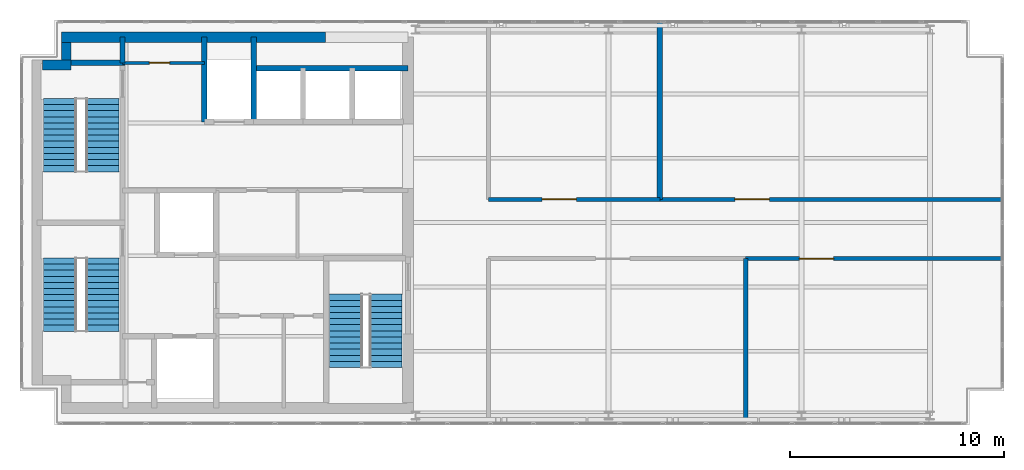
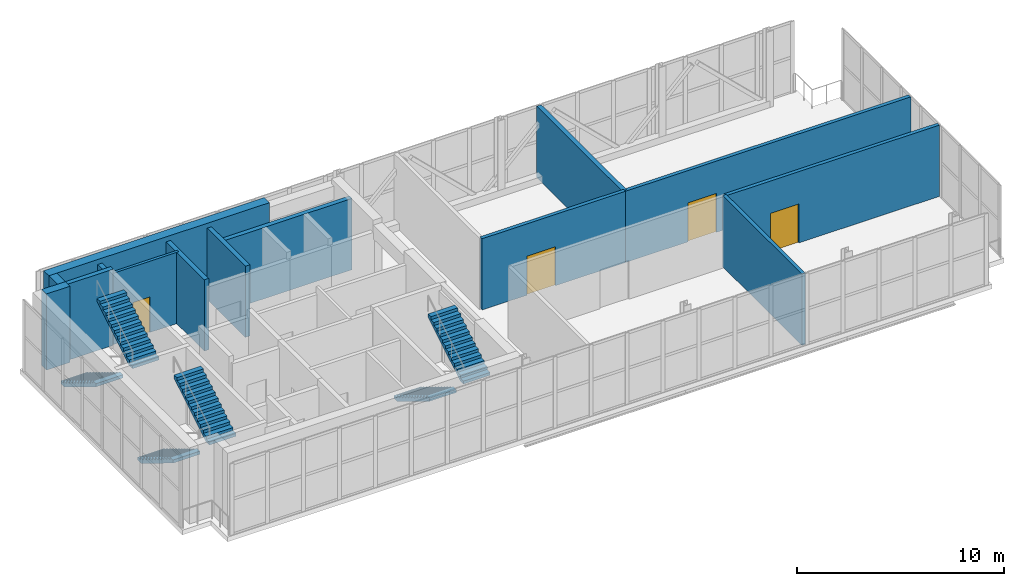
# One storey, part 19 of 21: 14 walls, 6 stair flights, 4 doors, 4 openings, 3 elements without a shape of their own.
"""IFC4 building model written with IfcOpenShell, lengths in metres."""

from ifc_helpers import new_model, si_unit, direction, frame, frame_2d, origin, place, context, subcontext, project, spatial, polyline, rectangle, outline, extrude, material, layer, layer_set, type_object, element, fill, aggregate, save


model = new_model("IFC4")

# Units and contexts
model_context = context("Model", 3, precision=1e-05, world=origin(), true_north=direction((0.0, 1.0)))
body_context = subcontext(model_context, "Body", "Model", "MODEL_VIEW")
ifc_project = project(units=[si_unit("LENGTHUNIT", "METRE"), si_unit("AREAUNIT", "SQUARE_METRE"), si_unit("VOLUMEUNIT", "CUBIC_METRE"), si_unit("PLANEANGLEUNIT", "RADIAN"), si_unit("MASSUNIT", "GRAM", prefix="KILO")], contexts=[model_context])

# Site, building, storey
site_placement = place(None, origin())
site = spatial("IfcSite", under=ifc_project, at=site_placement, CompositionType="ELEMENT")
building_placement = place(site_placement, origin())
building = spatial("IfcBuilding", under=site, at=building_placement, Name="Mawjdan Bourse Tower", CompositionType="ELEMENT")
storey_placement = place(building_placement, frame((0.0, 0.0, 313.199951171875)))
storey = spatial("IfcBuildingStorey", under=building, at=storey_placement, Name="L77", CompositionType="ELEMENT", Elevation=313.199951171875)

# Wall
ifc_material_1 = material(Name="Gypsum Fireboard Assembly")
ifc_layer_1 = layer(ifc_material_1, 0.199951171875)
ifc_layer_set_1 = layer_set([ifc_layer_1], Name="Gypsum Fireboard Assembly")
wall_type_1 = type_object("IfcWallType", Name="WL-CMP-200", PredefinedType="PARTITIONING", material=ifc_layer_set_1)
wall_1_placement = place(storey_placement, frame((39.39990234375, 2.659912109375, 0.0), z_axis=(0.0, 0.0, 1.0), x_axis=(0.0, 1.0, 0.0)))
element("IfcWall", 1, at=wall_1_placement, inside=storey, type_object=wall_type_1, Name="L77 South Plant Split Wall", PredefinedType="PARTITIONING", context=body_context, shape_type="SweptSolid", body=[
    extrude(rectangle(XDim=7.66015625, YDim=0.199951171875, at=frame_2d((3.830078125, 0.0))), origin(), (0.0, 0.0, 1.0), 4.2099609375),
])

# Wall, opening, door
wall_2_placement = place(storey_placement, frame((39.39990234375, 10.320068359375, 0.0), z_axis=(0.0, 0.0, 1.0), x_axis=(1.0, 0.0, 0.0)))
wall_2 = element("IfcWall", 2, at=wall_2_placement, inside=storey, type_object=wall_type_1, Name="L77 CHW Plant North Wall", PredefinedType="PARTITIONING", context=body_context, shape_type="SweptSolid", body=[
    extrude(rectangle(XDim=11.940185546875, YDim=0.199951171875, at=frame_2d((5.97021484375, 0.0))), origin(), (0.0, 0.0, 1.0), 4.2099609375),
])
opening_1_placement = place(wall_2_placement, frame((2.5, 0.0, 0.0)))
opening_1 = element("IfcOpeningElement", 3, at=opening_1_placement, cuts=wall_2, Name="Opening PD-L77-16", PredefinedType="OPENING", context=body_context, shape_type="SweptSolid", body=[
    extrude(rectangle(XDim=1.60009765625, YDim=2.300048828125, at=frame_2d((0.800048828125, 1.14990234375))), frame((0.0, 0.10986328125, 0.0), z_axis=(0.0, -1.0, 0.0), x_axis=(1.0, 0.0, 0.0)), (0.0, 0.0, 1.0), 0.219970703125),
])
ifc_material_2 = material(Name="Fire-Rated Acoustic Steel", Category="steel")
door_type_1 = type_object("IfcDoorType", Name="FD-PLT-1600", OperationType="DOUBLE_DOOR_SINGLE_SWING", PredefinedType="DOOR", material=ifc_material_2)
door_1_placement = place(opening_1_placement, origin())
door_1 = element("IfcDoor", 4, at=door_1_placement, inside=storey, type_object=door_type_1, Name="L77 CHW Pump Room Door PD-L77-16", OperationType="DOUBLE_DOOR_SINGLE_SWING", OverallHeight=2.300048828125, OverallWidth=1.60009765625, PredefinedType="DOOR", context=body_context, shape_type="SweptSolid", body=[
    extrude(rectangle(XDim=1.60009765625, YDim=2.300048828125, at=frame_2d((0.800048828125, 1.14990234375))), frame((0.0, 0.02490234375, 0.0), z_axis=(0.0, -1.0, 0.0), x_axis=(1.0, 0.0, 0.0)), (0.0, 0.0, 1.0), 0.050048828125),
])
fill(opening_1, door_1)

wall_3_placement = place(storey_placement, frame((27.39990234375, 13.080078125, 0.0), z_axis=(0.0, 0.0, 1.0), x_axis=(1.0, 0.0, 0.0)))
wall_3 = element("IfcWall", 5, at=wall_3_placement, inside=storey, type_object=wall_type_1, Name="L77 Crown Plant South Wall", PredefinedType="PARTITIONING", context=body_context, shape_type="SweptSolid", body=[
    extrude(rectangle(XDim=8.0, YDim=0.199951171875, at=frame_2d((4.0, 0.0))), origin(), (0.0, 0.0, 1.0), 4.2099609375),
])
opening_2_placement = place(wall_3_placement, frame((2.5, 0.0, 0.0)))
opening_2 = element("IfcOpeningElement", 6, at=opening_2_placement, cuts=wall_3, Name="Opening PD-L77-17", PredefinedType="OPENING", context=body_context, shape_type="SweptSolid", body=[
    extrude(rectangle(XDim=1.60009765625, YDim=2.300048828125, at=frame_2d((0.800048828125, 1.14990234375))), frame((0.0, 0.10986328125, 0.0), z_axis=(0.0, -1.0, 0.0), x_axis=(1.0, 0.0, 0.0)), (0.0, 0.0, 1.0), 0.219970703125),
])
door_2_placement = place(opening_2_placement, origin())
door_2 = element("IfcDoor", 7, at=door_2_placement, inside=storey, type_object=door_type_1, Name="L77 Crown Plant Door 1 PD-L77-17", OperationType="DOUBLE_DOOR_SINGLE_SWING", OverallHeight=2.300048828125, OverallWidth=1.60009765625, PredefinedType="DOOR", context=body_context, shape_type="SweptSolid", body=[
    extrude(rectangle(XDim=1.60009765625, YDim=2.300048828125, at=frame_2d((0.800048828125, 1.14990234375))), frame((0.0, 0.02490234375, 0.0), z_axis=(0.0, -1.0, 0.0), x_axis=(1.0, 0.0, 0.0)), (0.0, 0.0, 1.0), 0.050048828125),
])
fill(opening_2, door_2)

wall_4_placement = place(storey_placement, frame((35.39990234375, 13.080078125, 0.0), z_axis=(0.0, 0.0, 1.0), x_axis=(1.0, 0.0, 0.0)))
wall_4 = element("IfcWall", 8, at=wall_4_placement, inside=storey, type_object=wall_type_1, Name="L77 Switchgear South Wall", PredefinedType="PARTITIONING", context=body_context, shape_type="SweptSolid", body=[
    extrude(rectangle(XDim=15.940185546875, YDim=0.199951171875, at=frame_2d((7.97021484375, 0.0))), origin(), (0.0, 0.0, 1.0), 4.2099609375),
])
opening_3_placement = place(wall_4_placement, frame((3.5, 0.0, 0.0)))
opening_3 = element("IfcOpeningElement", 9, at=opening_3_placement, cuts=wall_4, Name="Opening PD-L77-18", PredefinedType="OPENING", context=body_context, shape_type="SweptSolid", body=[
    extrude(rectangle(XDim=1.60009765625, YDim=2.300048828125, at=frame_2d((0.800048828125, 1.14990234375))), frame((0.0, 0.10986328125, 0.0), z_axis=(0.0, -1.0, 0.0), x_axis=(1.0, 0.0, 0.0)), (0.0, 0.0, 1.0), 0.219970703125),
])
door_3_placement = place(opening_3_placement, origin())
door_3 = element("IfcDoor", 10, at=door_3_placement, inside=storey, type_object=door_type_1, Name="L77 Switchgear Room Door PD-L77-18", OperationType="DOUBLE_DOOR_SINGLE_SWING", OverallHeight=2.300048828125, OverallWidth=1.60009765625, PredefinedType="DOOR", context=body_context, shape_type="SweptSolid", body=[
    extrude(rectangle(XDim=1.60009765625, YDim=2.300048828125, at=frame_2d((0.800048828125, 1.14990234375))), frame((0.0, 0.02490234375, 0.0), z_axis=(0.0, -1.0, 0.0), x_axis=(1.0, 0.0, 0.0)), (0.0, 0.0, 1.0), 0.050048828125),
])
fill(opening_3, door_3)

# Walls
ifc_material_3 = material(Name="Concrete C60/75", Category="concrete")
ifc_layer_2 = layer(ifc_material_3, 0.449951171875)
ifc_layer_set_2 = layer_set([ifc_layer_2], Name="Concrete C60/75")
wall_type_2 = type_object("IfcWallType", Name="WL-CORE-450", PredefinedType="SHEAR", material=ifc_layer_set_2)
wall_5_placement = place(storey_placement, frame((6.60009765625, 19.35009765625, 0.0), z_axis=(0.0, 0.0, 1.0), x_axis=(1.0, 0.0, 0.0)))
element("IfcWall", 11, at=wall_5_placement, inside=storey, type_object=wall_type_2, Name="L77 Rear Core Shear Wall NW-X", PredefinedType="SHEAR", context=body_context, shape_type="SweptSolid", body=[
    extrude(rectangle(XDim=1.324951171875, YDim=0.449951171875, at=frame_2d((0.66259765625, 0.0))), origin(), (0.0, 0.0, 1.0), 4.5),
])
wall_6_placement = place(storey_placement, frame((7.699951171875, 19.574951171875, 0.0), z_axis=(0.0, 0.0, 1.0), x_axis=(0.0, 1.0, 0.0)))
element("IfcWall", 12, at=wall_6_placement, inside=storey, type_object=wall_type_2, Name="L77 Rear Core Shear Wall NW-Y", PredefinedType="SHEAR", context=body_context, shape_type="SweptSolid", body=[
    extrude(rectangle(XDim=0.824951171875, YDim=0.449951171875, at=frame_2d((0.41259765625, 0.0))), origin(), (0.0, 0.0, 1.0), 4.5),
])
ifc_layer_3 = layer(ifc_material_3, 0.5)
ifc_layer_set_3 = layer_set([ifc_layer_3], Name="Concrete C60/75")
wall_type_3 = type_object("IfcWallType", Name="WL-CORE-500", PredefinedType="SHEAR", material=ifc_layer_set_3)
wall_7_placement = place(storey_placement, frame((7.47509765625, 20.64990234375, 0.0), z_axis=(0.0, 0.0, 1.0), x_axis=(1.0, 0.0, 0.0)))
element("IfcWall", 13, at=wall_7_placement, inside=storey, type_object=wall_type_3, Name="L77 Rear Core Shear Wall N", PredefinedType="SHEAR", context=body_context, shape_type="SweptSolid", body=[
    extrude(rectangle(XDim=12.324951171875, YDim=0.5, at=frame_2d((6.16259765625, 0.0))), origin(), (0.0, 0.0, 1.0), 4.5),
])

# Wall, opening, door
ifc_material_4 = material(Name="Gypsum Acoustic Partition")
ifc_layer_4 = layer(ifc_material_4, 0.14990234375)
ifc_layer_set_4 = layer_set([ifc_layer_4], Name="Gypsum Acoustic Partition")
wall_type_4 = type_object("IfcWallType", Name="WL-PRT-150", PredefinedType="PARTITIONING", material=ifc_layer_set_4)
wall_8_placement = place(storey_placement, frame((10.330078125, 19.449951171875, 0.0), z_axis=(0.0, 0.0, 1.0), x_axis=(1.0, 0.0, 0.0)))
wall_8 = element("IfcWall", 14, at=wall_8_placement, inside=storey, type_object=wall_type_4, Name="L77 Housekeeping South Wall", PredefinedType="PARTITIONING", context=body_context, shape_type="SweptSolid", body=[
    extrude(rectangle(XDim=3.81982421875, YDim=0.14990234375, at=frame_2d((1.909912109375, 0.0))), origin(), (0.0, 0.0, 1.0), 4.2099609375),
])
opening_4_placement = place(wall_8_placement, frame((1.25, 0.0, 0.0)))
opening_4 = element("IfcOpeningElement", 15, at=opening_4_placement, cuts=wall_8, Name="Opening D-L77-14", PredefinedType="OPENING", context=body_context, shape_type="SweptSolid", body=[
    extrude(rectangle(XDim=0.949951171875, YDim=2.10009765625, at=frame_2d((0.47509765625, 1.050048828125))), frame((0.0, 0.0849609375, 0.0), z_axis=(0.0, -1.0, 0.0), x_axis=(1.0, 0.0, 0.0)), (0.0, 0.0, 1.0), 0.169921875),
])
ifc_material_5 = material(Name="Moisture-Resistant Laminate Timber", Category="wood")
door_type_2 = type_object("IfcDoorType", Name="DR-WET-0950", OperationType="NOTDEFINED", PredefinedType="DOOR", material=ifc_material_5)
door_4_placement = place(opening_4_placement, origin())
door_4 = element("IfcDoor", 16, at=door_4_placement, inside=storey, type_object=door_type_2, Name="L77 Housekeeping Closet Door D-L77-14", OperationType="SINGLE_SWING_RIGHT", OverallHeight=2.10009765625, OverallWidth=0.949951171875, PredefinedType="DOOR", context=body_context, shape_type="SweptSolid", body=[
    extrude(rectangle(XDim=0.949951171875, YDim=2.10009765625, at=frame_2d((0.47509765625, 1.050048828125))), frame((0.0, 0.02490234375, 0.0), z_axis=(0.0, -1.0, 0.0), x_axis=(1.0, 0.0, 0.0)), (0.0, 0.0, 1.0), 0.050048828125),
])
fill(opening_4, door_4)

# Walls
ifc_material_6 = material(Name="Concrete C50/60", Category="concrete")
ifc_layer_5 = layer(ifc_material_6, 0.25)
ifc_layer_set_5 = layer_set([ifc_layer_5], Name="Concrete C50/60")
wall_type_5 = type_object("IfcWallType", Name="WL-SHFT-250", PredefinedType="PARTITIONING", material=ifc_layer_set_5)
wall_9_placement = place(storey_placement, frame((10.330078125, 19.449951171875, 0.0), z_axis=(0.0, 0.0, 1.0), x_axis=(0.0, 1.0, 0.0)))
element("IfcWall", 17, at=wall_9_placement, inside=storey, type_object=wall_type_5, Name="L77 NW Riser East Wall", PredefinedType="PARTITIONING", context=body_context, shape_type="SweptSolid", body=[
    extrude(rectangle(XDim=1.199951171875, YDim=0.25, at=frame_2d((0.60009765625, 0.0))), origin(), (0.0, 0.0, 1.0), 4.2099609375),
])
for number, where, z_axis, x_axis, name in (
    (18, (14.14990234375, 16.699951171875, 0.0), (0.0, 0.0, 1.0), (0.0, 1.0, 0.0), "L77 SVL-01 West Shaft Wall"),
    (19, (16.449951171875, 16.699951171875, 0.0), (0.0, 0.0, 1.0), (0.0, 1.0, 0.0), "L77 SVL-01 East Shaft Wall"),
):
    element("IfcWall", number, at=place(storey_placement, frame(where, z_axis=z_axis, x_axis=x_axis)), inside=storey, type_object=wall_type_5, Name=name, PredefinedType="PARTITIONING", context=body_context, shape_type="SweptSolid", body=[
        extrude(rectangle(XDim=3.949951171875, YDim=0.25, at=frame_2d((1.97509765625, 0.0))), origin(), (0.0, 0.0, 1.0), 4.2099609375),
    ])
wall_10_placement = place(storey_placement, frame((16.449951171875, 19.199951171875, 0.0), z_axis=(0.0, 0.0, 1.0), x_axis=(1.0, 0.0, 0.0)))
element("IfcWall", 20, at=wall_10_placement, inside=storey, type_object=wall_type_5, Name="L77 PH Bank North Shaft Back Wall", PredefinedType="PARTITIONING", context=body_context, shape_type="SweptSolid", body=[
    extrude(rectangle(XDim=7.199951171875, YDim=0.25, at=frame_2d((3.60009765625, 0.0))), origin(), (0.0, 0.0, 1.0), 4.2099609375),
])
wall_11_placement = place(storey_placement, frame((35.39990234375, 13.080078125, 0.0), z_axis=(0.0, 0.0, 1.0), x_axis=(0.0, 1.0, 0.0)))
element("IfcWall", 21, at=wall_11_placement, inside=storey, type_object=wall_type_5, Name="L77 Switchgear West Firewall", PredefinedType="PARTITIONING", context=body_context, shape_type="SweptSolid", body=[
    extrude(rectangle(XDim=8.260009765625, YDim=0.25, at=frame_2d((4.1298828125, 0.0))), origin(), (0.0, 0.0, 1.0), 4.2099609375),
])
ifc_layer_6 = layer(ifc_material_6, 0.25)
ifc_layer_set_6 = layer_set([ifc_layer_6], Name="Concrete C50/60")
wall_type_6 = type_object("IfcWallType", Name="WL-STRW-250", PredefinedType="SHEAR", material=ifc_layer_set_6)
wall_12_placement = place(storey_placement, frame((7.699951171875, 19.449951171875, 0.0), z_axis=(0.0, 0.0, 1.0), x_axis=(1.0, 0.0, 0.0)))
element("IfcWall", 22, at=wall_12_placement, inside=storey, type_object=wall_type_6, Name="L77 Stairwell ST2 North Shaft Wall", PredefinedType="SHEAR", context=body_context, shape_type="SweptSolid", body=[
    extrude(rectangle(XDim=2.755126953125, YDim=0.25, at=frame_2d((1.37744140625, 0.0))), origin(), (0.0, 0.0, 1.0), 4.5),
])

# Stair, stair flights
stair_type = type_object("IfcStairType", Name="STR-CORE-1500", PredefinedType="HALF_TURN_STAIR", material=ifc_material_6)
stair_1_placement = place(storey_placement, origin())
stair_1 = element("IfcStair", 23, at=stair_1_placement, inside=storey, type_object=stair_type, Name="L77 Exit Stair 1 (Core South-West)", PredefinedType="HALF_TURN_STAIR")
stair_flight_type = type_object("IfcStairFlightType", Name="SFL-RC-1500", PredefinedType="STRAIGHT", material=ifc_material_6)
stair_flight_1_placement = place(storey_placement, frame((7.389892578125, 10.35009765625, 0.0), z_axis=(0.0, 0.0, 1.0), x_axis=(0.0, -1.0, 0.0)))
stair_flight_1 = element("IfcStairFlight", 24, at=stair_flight_1_placement, type_object=stair_flight_type, Name="ST1-L77 flight 1", NumberOfRisers=13, NumberOfTreads=12, PredefinedType="STRAIGHT", RiserHeight=0.173077, TreadLength=0.285, context=body_context, shape_type="SweptSolid", body=[
    extrude(outline(polyline([(0.0, 0.0), (0.0, 0.173095703125), (0.284912109375, 0.173095703125), (0.284912109375, 0.34619140625), (0.570068359375, 0.34619140625), (0.570068359375, 0.519287109375), (0.85498046875, 0.519287109375), (0.85498046875, 0.6923828125), (1.139892578125, 0.6923828125), (1.139892578125, 0.865478515625), (1.425048828125, 0.865478515625), (1.425048828125, 1.03857421875), (1.7099609375, 1.03857421875), (1.7099609375, 1.21142578125), (1.9951171875, 1.21142578125), (1.9951171875, 1.384521484375), (2.280029296875, 1.384521484375), (2.280029296875, 1.5576171875), (2.56494140625, 1.5576171875), (2.56494140625, 1.730712890625), (2.85009765625, 1.730712890625), (2.85009765625, 1.90380859375), (3.135009765625, 1.90380859375), (3.135009765625, 2.076904296875), (3.419921875, 2.076904296875), (3.419921875, 2.25), (3.419921875, 1.889892578125), (0.30810546875, 0.0), (0.0, 0.0)])), frame((0.0, 0.75, 0.0), z_axis=(0.0, -1.0, 0.0), x_axis=(1.0, 0.0, 0.0)), (0.0, 0.0, 1.0), 1.5),
])
stair_flight_2_placement = place(storey_placement, frame((9.409912109375, 6.929931640625, 2.25), z_axis=(0.0, 0.0, 1.0), x_axis=(0.0, 1.0, 0.0)))
stair_flight_2 = element("IfcStairFlight", 25, at=stair_flight_2_placement, type_object=stair_flight_type, Name="ST1-L77 flight 2", NumberOfRisers=13, NumberOfTreads=12, PredefinedType="STRAIGHT", RiserHeight=0.173077, TreadLength=0.285, context=body_context, shape_type="SweptSolid", body=[
    extrude(outline(polyline([(0.0, 0.0), (0.0, 0.173095703125), (0.284912109375, 0.173095703125), (0.284912109375, 0.34619140625), (0.570068359375, 0.34619140625), (0.570068359375, 0.519287109375), (0.85498046875, 0.519287109375), (0.85498046875, 0.6923828125), (1.139892578125, 0.6923828125), (1.139892578125, 0.865478515625), (1.425048828125, 0.865478515625), (1.425048828125, 1.03857421875), (1.7099609375, 1.03857421875), (1.7099609375, 1.21142578125), (1.9951171875, 1.21142578125), (1.9951171875, 1.384521484375), (2.280029296875, 1.384521484375), (2.280029296875, 1.5576171875), (2.56494140625, 1.5576171875), (2.56494140625, 1.730712890625), (2.85009765625, 1.730712890625), (2.85009765625, 1.90380859375), (3.135009765625, 1.90380859375), (3.135009765625, 2.076904296875), (3.419921875, 2.076904296875), (3.419921875, 2.25), (3.419921875, 1.889892578125), (0.30810546875, 0.0), (0.0, 0.0)])), frame((0.0, 0.75, 0.0), z_axis=(0.0, -1.0, 0.0), x_axis=(1.0, 0.0, 0.0)), (0.0, 0.0, 1.0), 1.5),
])
aggregate(stair_1, [stair_flight_1, stair_flight_2])

stair_2_placement = place(storey_placement, origin())
stair_2 = element("IfcStair", 26, at=stair_2_placement, inside=storey, type_object=stair_type, Name="L77 Exit Stair 2 (Core North-West)", PredefinedType="HALF_TURN_STAIR")
stair_flight_3_placement = place(storey_placement, frame((7.389892578125, 17.7900390625, 0.0), z_axis=(0.0, 0.0, 1.0), x_axis=(0.0, -1.0, 0.0)))
stair_flight_3 = element("IfcStairFlight", 27, at=stair_flight_3_placement, type_object=stair_flight_type, Name="ST2-L77 flight 1", NumberOfRisers=13, NumberOfTreads=12, PredefinedType="STRAIGHT", RiserHeight=0.173077, TreadLength=0.285, context=body_context, shape_type="SweptSolid", body=[
    extrude(outline(polyline([(0.0, 0.0), (0.0, 0.173095703125), (0.284912109375, 0.173095703125), (0.284912109375, 0.34619140625), (0.570068359375, 0.34619140625), (0.570068359375, 0.519287109375), (0.85498046875, 0.519287109375), (0.85498046875, 0.6923828125), (1.139892578125, 0.6923828125), (1.139892578125, 0.865478515625), (1.425048828125, 0.865478515625), (1.425048828125, 1.03857421875), (1.7099609375, 1.03857421875), (1.7099609375, 1.21142578125), (1.9951171875, 1.21142578125), (1.9951171875, 1.384521484375), (2.280029296875, 1.384521484375), (2.280029296875, 1.5576171875), (2.56494140625, 1.5576171875), (2.56494140625, 1.730712890625), (2.85009765625, 1.730712890625), (2.85009765625, 1.90380859375), (3.135009765625, 1.90380859375), (3.135009765625, 2.076904296875), (3.419921875, 2.076904296875), (3.419921875, 2.25), (3.419921875, 1.889892578125), (0.30810546875, 0.0), (0.0, 0.0)])), frame((0.0, 0.75, 0.0), z_axis=(0.0, -1.0, 0.0), x_axis=(1.0, 0.0, 0.0)), (0.0, 0.0, 1.0), 1.5),
])
stair_flight_4_placement = place(storey_placement, frame((9.409912109375, 14.3701171875, 2.25), z_axis=(0.0, 0.0, 1.0), x_axis=(0.0, 1.0, 0.0)))
stair_flight_4 = element("IfcStairFlight", 28, at=stair_flight_4_placement, type_object=stair_flight_type, Name="ST2-L77 flight 2", NumberOfRisers=13, NumberOfTreads=12, PredefinedType="STRAIGHT", RiserHeight=0.173077, TreadLength=0.285, context=body_context, shape_type="SweptSolid", body=[
    extrude(outline(polyline([(0.0, 0.0), (0.0, 0.173095703125), (0.284912109375, 0.173095703125), (0.284912109375, 0.34619140625), (0.570068359375, 0.34619140625), (0.570068359375, 0.519287109375), (0.85498046875, 0.519287109375), (0.85498046875, 0.6923828125), (1.139892578125, 0.6923828125), (1.139892578125, 0.865478515625), (1.425048828125, 0.865478515625), (1.425048828125, 1.03857421875), (1.7099609375, 1.03857421875), (1.7099609375, 1.21142578125), (1.9951171875, 1.21142578125), (1.9951171875, 1.384521484375), (2.280029296875, 1.384521484375), (2.280029296875, 1.5576171875), (2.56494140625, 1.5576171875), (2.56494140625, 1.730712890625), (2.85009765625, 1.730712890625), (2.85009765625, 1.90380859375), (3.135009765625, 1.90380859375), (3.135009765625, 2.076904296875), (3.419921875, 2.076904296875), (3.419921875, 2.25), (3.419921875, 1.889892578125), (0.30810546875, 0.0), (0.0, 0.0)])), frame((0.0, 0.75, 0.0), z_axis=(0.0, -1.0, 0.0), x_axis=(1.0, 0.0, 0.0)), (0.0, 0.0, 1.0), 1.5),
])
aggregate(stair_2, [stair_flight_3, stair_flight_4])

stair_3_placement = place(storey_placement, origin())
stair_3 = element("IfcStair", 29, at=stair_3_placement, inside=storey, type_object=stair_type, Name="L77 Exit Stair 7 (Core South-East)", PredefinedType="HALF_TURN_STAIR")
stair_flight_5_placement = place(storey_placement, frame((20.739990234375, 8.659912109375, 0.0), z_axis=(0.0, 0.0, 1.0), x_axis=(0.0, -1.0, 0.0)))
stair_flight_5 = element("IfcStairFlight", 30, at=stair_flight_5_placement, type_object=stair_flight_type, Name="ST7-L77 flight 1", NumberOfRisers=13, NumberOfTreads=12, PredefinedType="STRAIGHT", RiserHeight=0.173077, TreadLength=0.285, context=body_context, shape_type="SweptSolid", body=[
    extrude(outline(polyline([(0.0, 0.0), (0.0, 0.173095703125), (0.284912109375, 0.173095703125), (0.284912109375, 0.34619140625), (0.570068359375, 0.34619140625), (0.570068359375, 0.519287109375), (0.85498046875, 0.519287109375), (0.85498046875, 0.6923828125), (1.139892578125, 0.6923828125), (1.139892578125, 0.865478515625), (1.425048828125, 0.865478515625), (1.425048828125, 1.03857421875), (1.7099609375, 1.03857421875), (1.7099609375, 1.21142578125), (1.9951171875, 1.21142578125), (1.9951171875, 1.384521484375), (2.280029296875, 1.384521484375), (2.280029296875, 1.5576171875), (2.56494140625, 1.5576171875), (2.56494140625, 1.730712890625), (2.85009765625, 1.730712890625), (2.85009765625, 1.90380859375), (3.135009765625, 1.90380859375), (3.135009765625, 2.076904296875), (3.419921875, 2.076904296875), (3.419921875, 2.25), (3.419921875, 1.889892578125), (0.30810546875, 0.0), (0.0, 0.0)])), frame((0.0, 0.75, 0.0), z_axis=(0.0, -1.0, 0.0), x_axis=(1.0, 0.0, 0.0)), (0.0, 0.0, 1.0), 1.5),
])
stair_flight_6_placement = place(storey_placement, frame((22.6298828125, 5.239990234375, 2.25), z_axis=(0.0, 0.0, 1.0), x_axis=(0.0, 1.0, 0.0)))
stair_flight_6 = element("IfcStairFlight", 31, at=stair_flight_6_placement, type_object=stair_flight_type, Name="ST7-L77 flight 2", NumberOfRisers=13, NumberOfTreads=12, PredefinedType="STRAIGHT", RiserHeight=0.173077, TreadLength=0.285, context=body_context, shape_type="SweptSolid", body=[
    extrude(outline(polyline([(0.0, 0.0), (0.0, 0.173095703125), (0.284912109375, 0.173095703125), (0.284912109375, 0.34619140625), (0.570068359375, 0.34619140625), (0.570068359375, 0.519287109375), (0.85498046875, 0.519287109375), (0.85498046875, 0.6923828125), (1.139892578125, 0.6923828125), (1.139892578125, 0.865478515625), (1.425048828125, 0.865478515625), (1.425048828125, 1.03857421875), (1.7099609375, 1.03857421875), (1.7099609375, 1.21142578125), (1.9951171875, 1.21142578125), (1.9951171875, 1.384521484375), (2.280029296875, 1.384521484375), (2.280029296875, 1.5576171875), (2.56494140625, 1.5576171875), (2.56494140625, 1.730712890625), (2.85009765625, 1.730712890625), (2.85009765625, 1.90380859375), (3.135009765625, 1.90380859375), (3.135009765625, 2.076904296875), (3.419921875, 2.076904296875), (3.419921875, 2.25), (3.419921875, 1.889892578125), (0.30810546875, 0.0), (0.0, 0.0)])), frame((0.0, 0.75, 0.0), z_axis=(0.0, -1.0, 0.0), x_axis=(1.0, 0.0, 0.0)), (0.0, 0.0, 1.0), 1.5),
])
aggregate(stair_3, [stair_flight_5, stair_flight_6])

save(model, "model.ifc")
